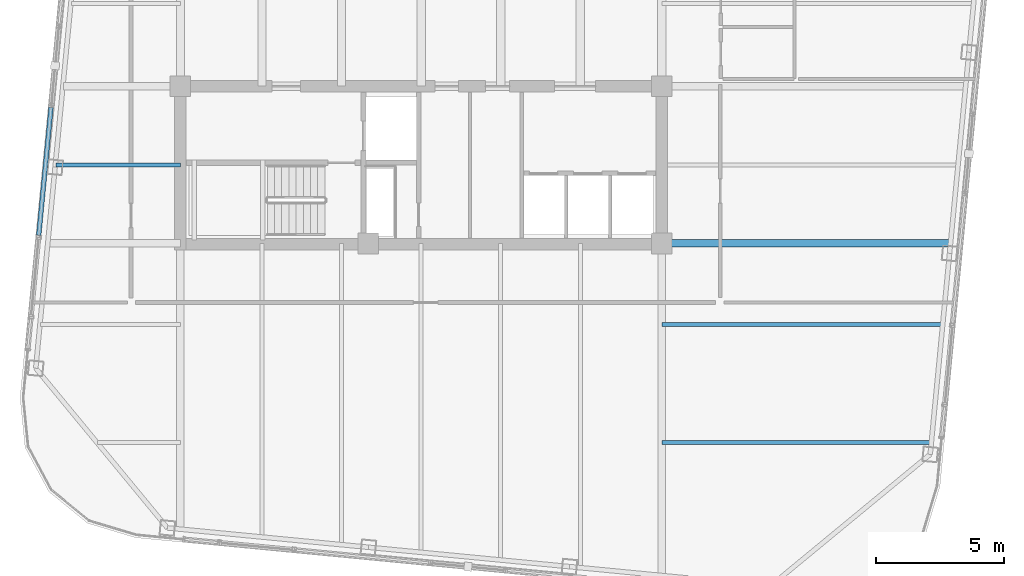
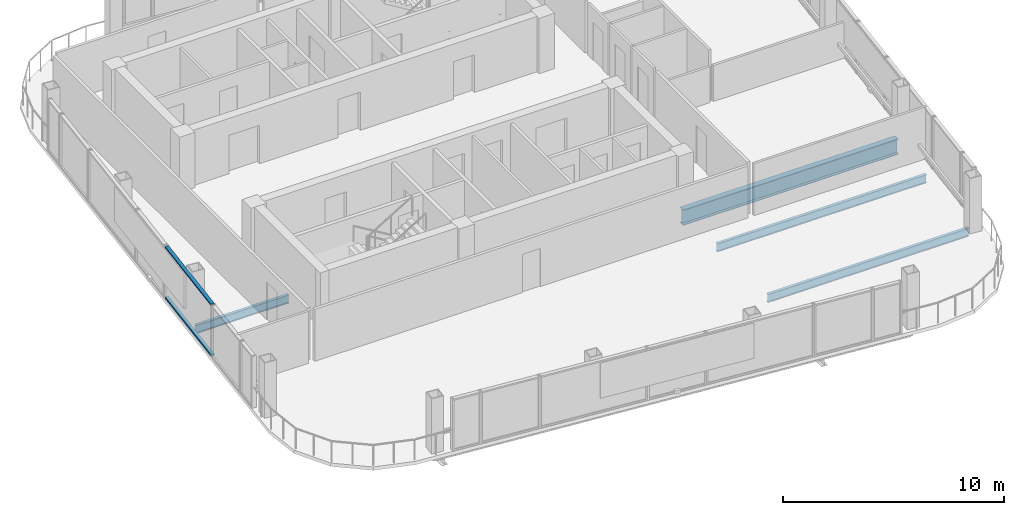
# One storey, part 6 of 26: 4 beams, 2 members, 1 element without a shape of its own.
"""IFC4 building model written with IfcOpenShell, lengths in metres."""

from ifc_helpers import new_model, si_unit, direction, frame, origin, origin_2d, place, context, subcontext, project, spatial, hollow_rectangle, i_section, extrude, material, layer, layer_set, material_profile, profile_set, type_object, element, aggregate, save


model = new_model("IFC4")

# Units and contexts
model_context = context("Model", 3, precision=1e-05, world=origin(), true_north=direction((0.0, 1.0)))
body_context = subcontext(model_context, "Body", "Model", "MODEL_VIEW")
ifc_project = project(units=[si_unit("LENGTHUNIT", "METRE"), si_unit("AREAUNIT", "SQUARE_METRE"), si_unit("VOLUMEUNIT", "CUBIC_METRE"), si_unit("PLANEANGLEUNIT", "RADIAN"), si_unit("MASSUNIT", "GRAM", prefix="KILO")], contexts=[model_context])

# Site, building, storey
site_placement = place(None, origin())
site = spatial("IfcSite", under=ifc_project, at=site_placement, CompositionType="ELEMENT")
building_placement = place(site_placement, origin())
building = spatial("IfcBuilding", under=site, at=building_placement, Name="Qhalaya Broadcast Tower", CompositionType="ELEMENT")
storey_placement = place(building_placement, frame((0.0, 0.0, 248.949951171875)))
storey = spatial("IfcBuildingStorey", under=building, at=storey_placement, Name="L73", CompositionType="ELEMENT", Elevation=248.949951171875)

# Beams
ifc_material_1 = material(Name="Structural Steel ASTM A992 Grade 50", Category="steel")
ifc_material_profile_1 = material_profile(ifc_material_1, i_section(OverallWidth=0.154052734375, OverallDepth=0.458984375, WebThickness=0.009033203125, FlangeThickness=0.015380859375, at=origin_2d()), Name="W18X46")
ifc_profile_set_1 = profile_set([ifc_material_profile_1], Name="Structural Steel ASTM A992 Grade 50")
beam_type_1 = type_object("IfcBeamType", Name="Composite Floor Joist J04", PredefinedType="JOIST", material=ifc_profile_set_1)
beam_1_placement = place(storey_placement, frame((9.375, -16.5, -0.41943359375), z_axis=(1.0, 0.0, 0.0), x_axis=(0.0, 1.0, 0.0)))
element("IfcBeam", 1, at=beam_1_placement, inside=storey, type_object=beam_type_1, Name="L73 J04 L73-JWE1E-1", PredefinedType="JOIST", context=body_context, shape_type="SweptSolid", body=[
    extrude(i_section(OverallWidth=0.154052734375, OverallDepth=0.458984375, WebThickness=0.009033203125, FlangeThickness=0.015380859375, at=origin_2d()), origin(), (0.0, 0.0, 1.0), 10.47802734375),
])
beam_2_placement = place(storey_placement, frame((9.375, -11.89990234375, -0.41943359375), z_axis=(1.0, 0.0, 0.0), x_axis=(0.0, 1.0, 0.0)))
element("IfcBeam", 2, at=beam_2_placement, inside=storey, type_object=beam_type_1, Name="L73 J04 L73-JWE2E-1", PredefinedType="JOIST", context=body_context, shape_type="SweptSolid", body=[
    extrude(i_section(OverallWidth=0.154052734375, OverallDepth=0.458984375, WebThickness=0.009033203125, FlangeThickness=0.015380859375, at=origin_2d()), origin(), (0.0, 0.0, 1.0), 10.9208984375),
])
beam_3_placement = place(storey_placement, frame((-14.228759765625, -5.699951171875, -0.41943359375), z_axis=(1.0, 0.0, 0.0), x_axis=(0.0, 1.0, 0.0)))
element("IfcBeam", 3, at=beam_3_placement, inside=storey, type_object=beam_type_1, Name="L73 J04 L73-JWE3W-1", PredefinedType="JOIST", context=body_context, shape_type="SweptSolid", body=[
    extrude(i_section(OverallWidth=0.154052734375, OverallDepth=0.458984375, WebThickness=0.009033203125, FlangeThickness=0.015380859375, at=origin_2d()), origin(), (0.0, 0.0, 1.0), 4.853759765625),
])

# Curtain wall, members
ifc_material_2 = material(Name="Fired Architectural Terracotta", Category="masonry")
ifc_layer = layer(ifc_material_2, 0.219970703125, Name="Fired Architectural Terracotta")
ifc_layer_set = layer_set([ifc_layer], Name="Fired Architectural Terracotta")
curtain_wall_type = type_object("IfcCurtainWallType", Name="Block-Cap Unitised Terracotta Spandrel Wall CW-07", PredefinedType="NOTDEFINED", material=ifc_layer_set)
curtain_wall_placement = place(storey_placement, origin())
curtain_wall = element("IfcCurtainWall", 4, at=curtain_wall_placement, inside=storey, type_object=curtain_wall_type, Name="L73 Unitised Curtain Wall L73-CW-W5", PredefinedType="NOTDEFINED")
ifc_material_3 = material(Name="Anodised Aluminium 6063-T6", Category="aluminium")
ifc_material_profile_2 = material_profile(ifc_material_3, hollow_rectangle(XDim=0.074951171875, YDim=0.179931640625, WallThickness=0.00390625, at=origin_2d()), Name="ALU-TRN 75x180x4")
ifc_profile_set_2 = profile_set([ifc_material_profile_2], Name="Anodised Aluminium 6063-T6")
member_type = type_object("IfcMemberType", Name="Unitised Curtain-Wall Transom T01", PredefinedType="USERDEFINED", material=ifc_profile_set_2)
member_1_placement = place(storey_placement, frame((-14.413818359375, -3.44873046875, 0.03759765625), z_axis=(-0.095858268746, -0.995394993112, 0.0), x_axis=(0.0, 0.0, 1.0)))
member_1 = element("IfcMember", 5, at=member_1_placement, type_object=member_type, Name="CW-07 transom 1.1", ObjectType="TRANSOM", PredefinedType="USERDEFINED", context=body_context, shape_type="SweptSolid", body=[
    extrude(hollow_rectangle(XDim=0.074951171875, YDim=0.179931640625, WallThickness=0.00390625, at=origin_2d()), origin(), (0.0, 0.0, 1.0), 5.007080078125),
])
member_2_placement = place(storey_placement, frame((-14.413818359375, -3.44873046875, 2.822509765625), z_axis=(-0.095858268746, -0.995394993112, 0.0), x_axis=(0.0, 0.0, 1.0)))
member_2 = element("IfcMember", 6, at=member_2_placement, type_object=member_type, Name="CW-07 transom 1.2", ObjectType="TRANSOM", PredefinedType="USERDEFINED", context=body_context, shape_type="SweptSolid", body=[
    extrude(hollow_rectangle(XDim=0.074951171875, YDim=0.179931640625, WallThickness=0.00390625, at=origin_2d()), origin(), (0.0, 0.0, 1.0), 5.007080078125),
])
aggregate(curtain_wall, [member_1, member_2])

# Beam
ifc_material_profile_3 = material_profile(ifc_material_1, i_section(OverallWidth=0.2919921875, OverallDepth=0.85888671875, WebThickness=0.01708984375, FlangeThickness=0.031005859375, at=origin_2d()), Name="W33X169")
ifc_profile_set_3 = profile_set([ifc_material_profile_3], Name="Structural Steel ASTM A992 Grade 50")
beam_type_2 = type_object("IfcBeamType", Name="Upper Block Primary Girder PG4", PredefinedType="USERDEFINED", material=ifc_profile_set_3)
beam_4_placement = place(storey_placement, frame((9.375, -8.75, -0.619384765625), z_axis=(1.0, 0.0, 0.0), x_axis=(0.0, 1.0, 0.0)))
element("IfcBeam", 7, at=beam_4_placement, inside=storey, type_object=beam_type_2, Name="L73 PG4 L73-PGYE1-1", ObjectType="GIRDER", PredefinedType="USERDEFINED", context=body_context, shape_type="SweptSolid", body=[
    extrude(i_section(OverallWidth=0.2919921875, OverallDepth=0.85888671875, WebThickness=0.01708984375, FlangeThickness=0.031005859375, at=origin_2d()), origin(), (0.0, 0.0, 1.0), 11.22412109375),
])

save(model, "model.ifc")
